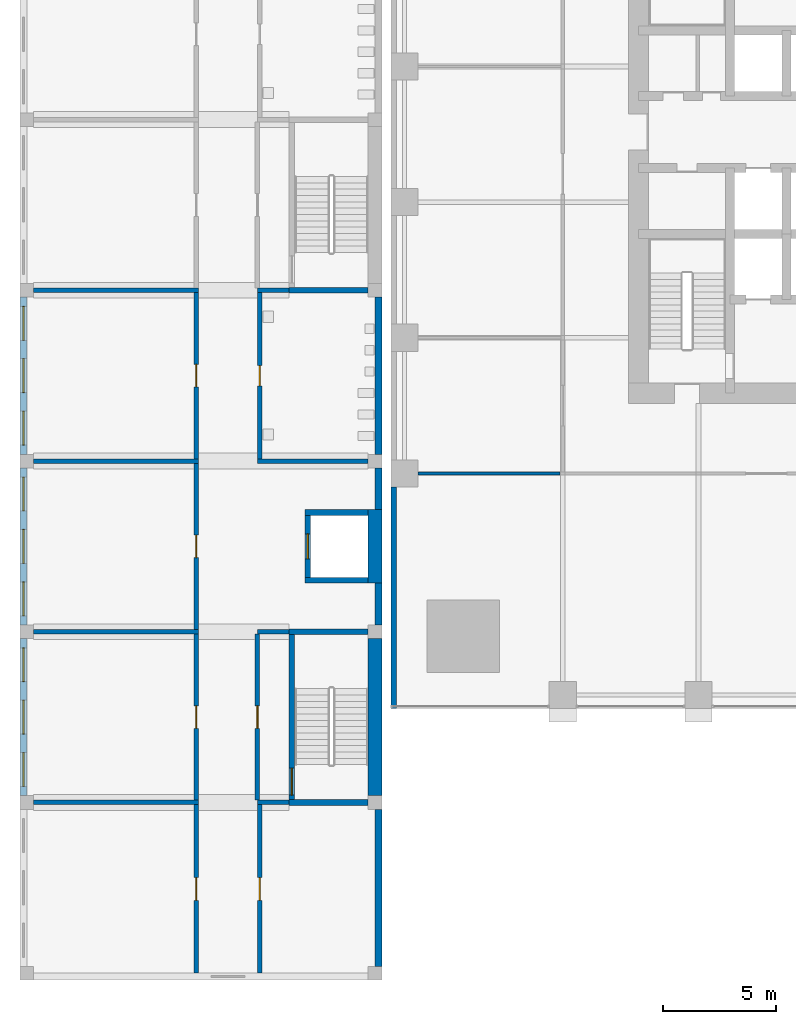
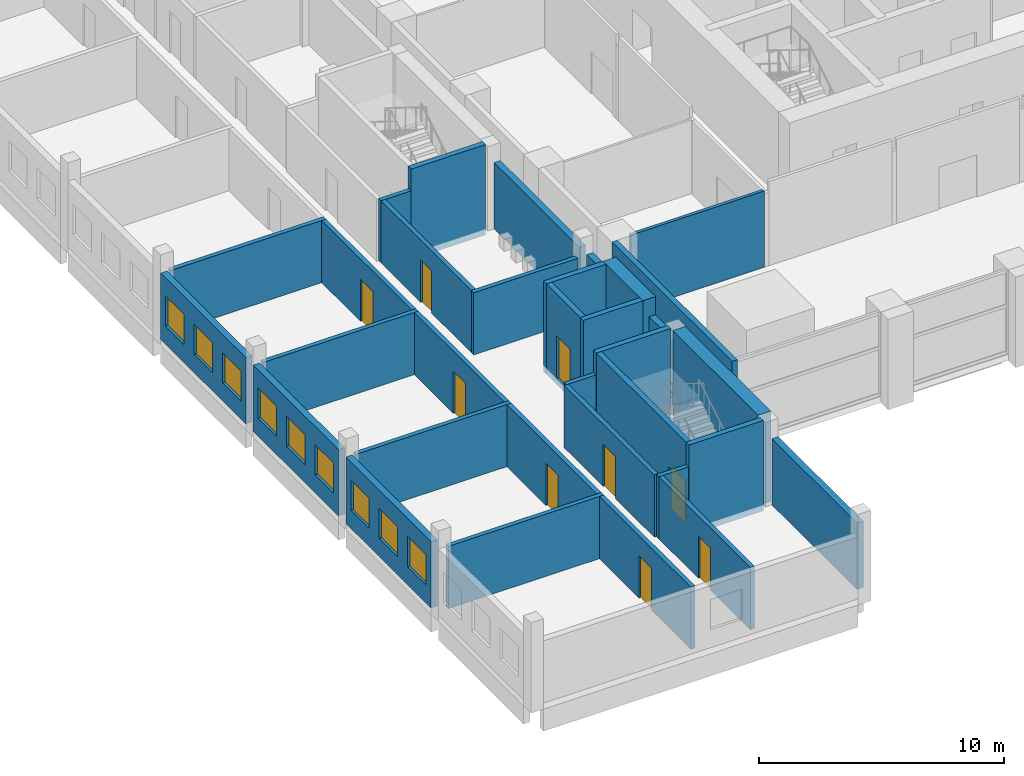
# One storey, part 10 of 25: 33 walls, 9 doors, 9 windows, 18 openings.
"""IFC4 building model written with IfcOpenShell, lengths in metres."""

from ifc_helpers import new_model, si_unit, direction, frame, frame_2d, origin, place, context, subcontext, project, spatial, rectangle, extrude, material, layer, layer_set, type_object, element, fill, save


model = new_model("IFC4")

# Units and contexts
model_context = context("Model", 3, precision=1e-05, world=origin(), true_north=direction((0.0, 1.0)))
body_context = subcontext(model_context, "Body", "Model", "MODEL_VIEW")
ifc_project = project(units=[si_unit("LENGTHUNIT", "METRE"), si_unit("AREAUNIT", "SQUARE_METRE"), si_unit("VOLUMEUNIT", "CUBIC_METRE"), si_unit("PLANEANGLEUNIT", "RADIAN"), si_unit("MASSUNIT", "GRAM", prefix="KILO")], contexts=[model_context])

# Site, building, storey
site_placement = place(None, origin())
site = spatial("IfcSite", under=ifc_project, at=site_placement, CompositionType="ELEMENT")
building_placement = place(site_placement, origin())
building = spatial("IfcBuilding", under=site, at=building_placement, Name="Amberfall Residences", CompositionType="ELEMENT")
storey_placement = place(building_placement, frame((0.0, 0.0, 14.5)))
storey = spatial("IfcBuildingStorey", under=building, at=storey_placement, Name="L03", CompositionType="ELEMENT", Elevation=14.5)

# Walls
ifc_material_1 = material(Name="Fire-rated gypsum board on steel studs", Category="steel")
ifc_layer_1 = layer(ifc_material_1, 0.14990234375)
ifc_layer_set_1 = layer_set([ifc_layer_1], Name="Partition 150 fire-rated")
wall_type_1 = type_object("IfcWallType", Name="Partition 150 fire-rated", PredefinedType="PARTITIONING", material=ifc_layer_set_1)
wall_1_placement = place(storey_placement, frame((53.199951171875, 30.39990234375, 0.0), z_axis=(0.0, 0.0, 1.0), x_axis=(1.0, 0.0, 0.0)))
element("IfcWall", 1, at=wall_1_placement, inside=storey, type_object=wall_type_1, Name="Partition 150 fire-rated L03 001", PredefinedType="PARTITIONING", context=body_context, shape_type="SweptSolid", body=[
    extrude(rectangle(XDim=6.280029296875, YDim=0.14990234375, at=frame_2d((3.14013671875, 0.0))), origin(), (0.0, 0.0, 1.0), 3.797119140625),
])
ifc_material_2 = material(Name="Precast concrete C40", Category="concrete")
ifc_layer_2 = layer(ifc_material_2, 0.25)
ifc_layer_set_2 = layer_set([ifc_layer_2], Name="Podium external wall 250")
wall_type_2 = type_object("IfcWallType", Name="Podium external wall 250", PredefinedType="SOLIDWALL", material=ifc_layer_set_2)
wall_2_placement = place(storey_placement, frame((52.125, 20.0, 0.0), z_axis=(0.0, 0.0, 1.0), x_axis=(0.0, 1.0, 0.0)))
element("IfcWall", 2, at=wall_2_placement, inside=storey, type_object=wall_type_2, Name="Podium external wall W1", PredefinedType="SOLIDWALL", context=body_context, shape_type="SweptSolid", body=[
    extrude(rectangle(XDim=9.800048828125, YDim=0.25, at=frame_2d((4.89990234375, 0.0))), origin(), (0.0, 0.0, 1.0), 4.199951171875),
])

# Wall, openings, windows
ifc_material_3 = material(Name="Aerated block wall")
ifc_layer_3 = layer(ifc_material_3, 0.300048828125)
ifc_layer_set_3 = layer_set([ifc_layer_3], Name="School external wall 300")
wall_type_3 = type_object("IfcWallType", Name="School external wall 300", PredefinedType="SOLIDWALL", material=ifc_layer_set_3)
wall_3_placement = place(storey_placement, frame((35.75, 16.14990234375, 0.0), z_axis=(0.0, 0.0, 1.0), x_axis=(0.0, 1.0, 0.0)))
wall_3 = element("IfcWall", 3, at=wall_3_placement, inside=storey, type_object=wall_type_3, Name="School external wall L03 EW1", PredefinedType="SOLIDWALL", context=body_context, shape_type="SweptSolid", body=[
    extrude(rectangle(XDim=6.9501953125, YDim=0.300048828125, at=frame_2d((3.47509765625, 0.0))), origin(), (0.0, 0.0, 1.0), 3.300048828125),
])
opening_1_placement = place(wall_3_placement, frame((0.408203125, 0.0, 0.89990234375)))
opening_1 = element("IfcOpeningElement", 4, at=opening_1_placement, cuts=wall_3, Name="Opening SWN1", PredefinedType="OPENING", context=body_context, shape_type="SweptSolid", body=[
    extrude(rectangle(XDim=1.5, YDim=1.5, at=frame_2d((0.75, 0.75))), frame((0.0, 0.159912109375, 0.0), z_axis=(0.0, -1.0, 0.0), x_axis=(1.0, 0.0, 0.0)), (0.0, 0.0, 1.0), 0.320068359375),
])
opening_2_placement = place(wall_3_placement, frame((2.72509765625, 0.0, 0.89990234375)))
opening_2 = element("IfcOpeningElement", 5, at=opening_2_placement, cuts=wall_3, Name="Opening SWN1", PredefinedType="OPENING", context=body_context, shape_type="SweptSolid", body=[
    extrude(rectangle(XDim=1.5, YDim=1.5, at=frame_2d((0.75, 0.75))), frame((0.0, 0.159912109375, 0.0), z_axis=(0.0, -1.0, 0.0), x_axis=(1.0, 0.0, 0.0)), (0.0, 0.0, 1.0), 0.320068359375),
])
opening_3_placement = place(wall_3_placement, frame((5.041748046875, 0.0, 0.89990234375)))
opening_3 = element("IfcOpeningElement", 6, at=opening_3_placement, cuts=wall_3, Name="Opening SWN1", PredefinedType="OPENING", context=body_context, shape_type="SweptSolid", body=[
    extrude(rectangle(XDim=1.5, YDim=1.5, at=frame_2d((0.75, 0.75))), frame((0.0, 0.159912109375, 0.0), z_axis=(0.0, -1.0, 0.0), x_axis=(1.0, 0.0, 0.0)), (0.0, 0.0, 1.0), 0.320068359375),
])
ifc_material_4 = material(Name="Aluminium window", Category="aluminium")
window_type = type_object("IfcWindowType", Name="School window 1500 x 1500", PartitioningType="DOUBLE_PANEL_HORIZONTAL", PredefinedType="WINDOW", material=ifc_material_4)
window_1_placement = place(opening_1_placement, origin())
window_1 = element("IfcWindow", 7, at=window_1_placement, inside=storey, type_object=window_type, Name="School window L03 EW1-1", OverallHeight=1.5, OverallWidth=1.5, PartitioningType="DOUBLE_PANEL_HORIZONTAL", PredefinedType="WINDOW", context=body_context, shape_type="SweptSolid", body=[
    extrude(rectangle(XDim=1.5, YDim=1.5, at=frame_2d((0.75, 0.75))), frame((0.0, 0.030029296875, 0.0), z_axis=(0.0, -1.0, 0.0), x_axis=(1.0, 0.0, 0.0)), (0.0, 0.0, 1.0), 0.06005859375),
])
fill(opening_1, window_1)
window_2_placement = place(opening_2_placement, origin())
window_2 = element("IfcWindow", 8, at=window_2_placement, inside=storey, type_object=window_type, Name="School window L03 EW1-2", OverallHeight=1.5, OverallWidth=1.5, PartitioningType="DOUBLE_PANEL_HORIZONTAL", PredefinedType="WINDOW", context=body_context, shape_type="SweptSolid", body=[
    extrude(rectangle(XDim=1.5, YDim=1.5, at=frame_2d((0.75, 0.75))), frame((0.0, 0.030029296875, 0.0), z_axis=(0.0, -1.0, 0.0), x_axis=(1.0, 0.0, 0.0)), (0.0, 0.0, 1.0), 0.06005859375),
])
fill(opening_2, window_2)
window_3_placement = place(opening_3_placement, origin())
window_3 = element("IfcWindow", 9, at=window_3_placement, inside=storey, type_object=window_type, Name="School window L03 EW1-3", OverallHeight=1.5, OverallWidth=1.5, PartitioningType="DOUBLE_PANEL_HORIZONTAL", PredefinedType="WINDOW", context=body_context, shape_type="SweptSolid", body=[
    extrude(rectangle(XDim=1.5, YDim=1.5, at=frame_2d((0.75, 0.75))), frame((0.0, 0.030029296875, 0.0), z_axis=(0.0, -1.0, 0.0), x_axis=(1.0, 0.0, 0.0)), (0.0, 0.0, 1.0), 0.06005859375),
])
fill(opening_3, window_3)

wall_4_placement = place(storey_placement, frame((35.75, 23.699951171875, 0.0), z_axis=(0.0, 0.0, 1.0), x_axis=(0.0, 1.0, 0.0)))
wall_4 = element("IfcWall", 10, at=wall_4_placement, inside=storey, type_object=wall_type_3, Name="School external wall L03 EW2", PredefinedType="SOLIDWALL", context=body_context, shape_type="SweptSolid", body=[
    extrude(rectangle(XDim=6.949951171875, YDim=0.300048828125, at=frame_2d((3.47509765625, 0.0))), origin(), (0.0, 0.0, 1.0), 3.300048828125),
])
opening_4_placement = place(wall_4_placement, frame((0.408203125, 0.0, 0.89990234375)))
opening_4 = element("IfcOpeningElement", 11, at=opening_4_placement, cuts=wall_4, Name="Opening SWN1", PredefinedType="OPENING", context=body_context, shape_type="SweptSolid", body=[
    extrude(rectangle(XDim=1.5, YDim=1.5, at=frame_2d((0.75, 0.75))), frame((0.0, 0.159912109375, 0.0), z_axis=(0.0, -1.0, 0.0), x_axis=(1.0, 0.0, 0.0)), (0.0, 0.0, 1.0), 0.320068359375),
])
opening_5_placement = place(wall_4_placement, frame((2.72509765625, 0.0, 0.89990234375)))
opening_5 = element("IfcOpeningElement", 12, at=opening_5_placement, cuts=wall_4, Name="Opening SWN1", PredefinedType="OPENING", context=body_context, shape_type="SweptSolid", body=[
    extrude(rectangle(XDim=1.5, YDim=1.5, at=frame_2d((0.75, 0.75))), frame((0.0, 0.159912109375, 0.0), z_axis=(0.0, -1.0, 0.0), x_axis=(1.0, 0.0, 0.0)), (0.0, 0.0, 1.0), 0.320068359375),
])
opening_6_placement = place(wall_4_placement, frame((5.041748046875, 0.0, 0.89990234375)))
opening_6 = element("IfcOpeningElement", 13, at=opening_6_placement, cuts=wall_4, Name="Opening SWN1", PredefinedType="OPENING", context=body_context, shape_type="SweptSolid", body=[
    extrude(rectangle(XDim=1.5, YDim=1.5, at=frame_2d((0.75, 0.75))), frame((0.0, 0.159912109375, 0.0), z_axis=(0.0, -1.0, 0.0), x_axis=(1.0, 0.0, 0.0)), (0.0, 0.0, 1.0), 0.320068359375),
])
window_4_placement = place(opening_4_placement, origin())
window_4 = element("IfcWindow", 14, at=window_4_placement, inside=storey, type_object=window_type, Name="School window L03 EW2-1", OverallHeight=1.5, OverallWidth=1.5, PartitioningType="DOUBLE_PANEL_HORIZONTAL", PredefinedType="WINDOW", context=body_context, shape_type="SweptSolid", body=[
    extrude(rectangle(XDim=1.5, YDim=1.5, at=frame_2d((0.75, 0.75))), frame((0.0, 0.030029296875, 0.0), z_axis=(0.0, -1.0, 0.0), x_axis=(1.0, 0.0, 0.0)), (0.0, 0.0, 1.0), 0.06005859375),
])
fill(opening_4, window_4)
window_5_placement = place(opening_5_placement, origin())
window_5 = element("IfcWindow", 15, at=window_5_placement, inside=storey, type_object=window_type, Name="School window L03 EW2-2", OverallHeight=1.5, OverallWidth=1.5, PartitioningType="DOUBLE_PANEL_HORIZONTAL", PredefinedType="WINDOW", context=body_context, shape_type="SweptSolid", body=[
    extrude(rectangle(XDim=1.5, YDim=1.5, at=frame_2d((0.75, 0.75))), frame((0.0, 0.030029296875, 0.0), z_axis=(0.0, -1.0, 0.0), x_axis=(1.0, 0.0, 0.0)), (0.0, 0.0, 1.0), 0.06005859375),
])
fill(opening_5, window_5)
window_6_placement = place(opening_6_placement, origin())
window_6 = element("IfcWindow", 16, at=window_6_placement, inside=storey, type_object=window_type, Name="School window L03 EW2-3", OverallHeight=1.5, OverallWidth=1.5, PartitioningType="DOUBLE_PANEL_HORIZONTAL", PredefinedType="WINDOW", context=body_context, shape_type="SweptSolid", body=[
    extrude(rectangle(XDim=1.5, YDim=1.5, at=frame_2d((0.75, 0.75))), frame((0.0, 0.030029296875, 0.0), z_axis=(0.0, -1.0, 0.0), x_axis=(1.0, 0.0, 0.0)), (0.0, 0.0, 1.0), 0.06005859375),
])
fill(opening_6, window_6)

wall_5_placement = place(storey_placement, frame((35.75, 31.25, 0.0), z_axis=(0.0, 0.0, 1.0), x_axis=(0.0, 1.0, 0.0)))
wall_5 = element("IfcWall", 17, at=wall_5_placement, inside=storey, type_object=wall_type_3, Name="School external wall L03 EW3", PredefinedType="SOLIDWALL", context=body_context, shape_type="SweptSolid", body=[
    extrude(rectangle(XDim=6.949951171875, YDim=0.300048828125, at=frame_2d((3.47509765625, 0.0))), origin(), (0.0, 0.0, 1.0), 3.300048828125),
])
opening_7_placement = place(wall_5_placement, frame((0.408203125, 0.0, 0.89990234375)))
opening_7 = element("IfcOpeningElement", 18, at=opening_7_placement, cuts=wall_5, Name="Opening SWN1", PredefinedType="OPENING", context=body_context, shape_type="SweptSolid", body=[
    extrude(rectangle(XDim=1.5, YDim=1.5, at=frame_2d((0.75, 0.75))), frame((0.0, 0.159912109375, 0.0), z_axis=(0.0, -1.0, 0.0), x_axis=(1.0, 0.0, 0.0)), (0.0, 0.0, 1.0), 0.320068359375),
])
opening_8_placement = place(wall_5_placement, frame((2.72509765625, 0.0, 0.89990234375)))
opening_8 = element("IfcOpeningElement", 19, at=opening_8_placement, cuts=wall_5, Name="Opening SWN1", PredefinedType="OPENING", context=body_context, shape_type="SweptSolid", body=[
    extrude(rectangle(XDim=1.5, YDim=1.5, at=frame_2d((0.75, 0.75))), frame((0.0, 0.159912109375, 0.0), z_axis=(0.0, -1.0, 0.0), x_axis=(1.0, 0.0, 0.0)), (0.0, 0.0, 1.0), 0.320068359375),
])
opening_9_placement = place(wall_5_placement, frame((5.041748046875, 0.0, 0.89990234375)))
opening_9 = element("IfcOpeningElement", 20, at=opening_9_placement, cuts=wall_5, Name="Opening SWN1", PredefinedType="OPENING", context=body_context, shape_type="SweptSolid", body=[
    extrude(rectangle(XDim=1.5, YDim=1.5, at=frame_2d((0.75, 0.75))), frame((0.0, 0.159912109375, 0.0), z_axis=(0.0, -1.0, 0.0), x_axis=(1.0, 0.0, 0.0)), (0.0, 0.0, 1.0), 0.320068359375),
])
window_7_placement = place(opening_7_placement, origin())
window_7 = element("IfcWindow", 21, at=window_7_placement, inside=storey, type_object=window_type, Name="School window L03 EW3-1", OverallHeight=1.5, OverallWidth=1.5, PartitioningType="DOUBLE_PANEL_HORIZONTAL", PredefinedType="WINDOW", context=body_context, shape_type="SweptSolid", body=[
    extrude(rectangle(XDim=1.5, YDim=1.5, at=frame_2d((0.75, 0.75))), frame((0.0, 0.030029296875, 0.0), z_axis=(0.0, -1.0, 0.0), x_axis=(1.0, 0.0, 0.0)), (0.0, 0.0, 1.0), 0.06005859375),
])
fill(opening_7, window_7)
window_8_placement = place(opening_8_placement, origin())
window_8 = element("IfcWindow", 22, at=window_8_placement, inside=storey, type_object=window_type, Name="School window L03 EW3-2", OverallHeight=1.5, OverallWidth=1.5, PartitioningType="DOUBLE_PANEL_HORIZONTAL", PredefinedType="WINDOW", context=body_context, shape_type="SweptSolid", body=[
    extrude(rectangle(XDim=1.5, YDim=1.5, at=frame_2d((0.75, 0.75))), frame((0.0, 0.030029296875, 0.0), z_axis=(0.0, -1.0, 0.0), x_axis=(1.0, 0.0, 0.0)), (0.0, 0.0, 1.0), 0.06005859375),
])
fill(opening_8, window_8)
window_9_placement = place(opening_9_placement, origin())
window_9 = element("IfcWindow", 23, at=window_9_placement, inside=storey, type_object=window_type, Name="School window L03 EW3-3", OverallHeight=1.5, OverallWidth=1.5, PartitioningType="DOUBLE_PANEL_HORIZONTAL", PredefinedType="WINDOW", context=body_context, shape_type="SweptSolid", body=[
    extrude(rectangle(XDim=1.5, YDim=1.5, at=frame_2d((0.75, 0.75))), frame((0.0, 0.030029296875, 0.0), z_axis=(0.0, -1.0, 0.0), x_axis=(1.0, 0.0, 0.0)), (0.0, 0.0, 1.0), 0.06005859375),
])
fill(opening_9, window_9)

# Walls
for number, where, z_axis, x_axis, name in (
    (24, (51.449951171875, 8.60009765625, 0.0), (0.0, 0.0, 1.0), (0.0, 1.0, 0.0), "School external wall L03 ET0"),
    (25, (51.449951171875, 31.25, 0.0), (0.0, 0.0, 1.0), (0.0, 1.0, 0.0), "School external wall L03 ET3"),
):
    element("IfcWall", number, at=place(storey_placement, frame(where, z_axis=z_axis, x_axis=x_axis)), inside=storey, type_object=wall_type_3, Name=name, PredefinedType="SOLIDWALL", context=body_context, shape_type="SweptSolid", body=[
        extrude(rectangle(XDim=6.949951171875, YDim=0.300048828125, at=frame_2d((3.47509765625, 0.0))), origin(), (0.0, 0.0, 1.0), 3.300048828125),
    ])
wall_6_placement = place(storey_placement, frame((51.449951171875, 23.699951171875, 0.0), z_axis=(0.0, 0.0, 1.0), x_axis=(0.0, 1.0, 0.0)))
element("IfcWall", 26, at=wall_6_placement, inside=storey, type_object=wall_type_3, Name="School external wall L03 ET2a", PredefinedType="SOLIDWALL", context=body_context, shape_type="SweptSolid", body=[
    extrude(rectangle(XDim=1.85009765625, YDim=0.300048828125, at=frame_2d((0.925048828125, 0.0))), origin(), (0.0, 0.0, 1.0), 3.300048828125),
])
wall_7_placement = place(storey_placement, frame((51.449951171875, 28.800048828125, 0.0), z_axis=(0.0, 0.0, 1.0), x_axis=(0.0, 1.0, 0.0)))
element("IfcWall", 27, at=wall_7_placement, inside=storey, type_object=wall_type_3, Name="School external wall L03 ET2b", PredefinedType="SOLIDWALL", context=body_context, shape_type="SweptSolid", body=[
    extrude(rectangle(XDim=1.849853515625, YDim=0.300048828125, at=frame_2d((0.9248046875, 0.0))), origin(), (0.0, 0.0, 1.0), 3.300048828125),
])

# Wall, opening, door
ifc_layer_4 = layer(ifc_material_3, 0.199951171875)
ifc_layer_set_4 = layer_set([ifc_layer_4], Name="School partition 200")
wall_type_4 = type_object("IfcWallType", Name="School partition 200", PredefinedType="PARTITIONING", material=ifc_layer_set_4)
wall_8_placement = place(storey_placement, frame((43.39990234375, 8.300048828125, 0.0), z_axis=(0.0, 0.0, 1.0), x_axis=(0.0, 1.0, 0.0)))
wall_8 = element("IfcWall", 28, at=wall_8_placement, inside=storey, type_object=wall_type_4, Name="School partition L03 CWW0", PredefinedType="PARTITIONING", context=body_context, shape_type="SweptSolid", body=[
    extrude(rectangle(XDim=7.449951171875, YDim=0.199951171875, at=frame_2d((3.72509765625, 0.0))), origin(), (0.0, 0.0, 1.0), 3.10009765625),
])
opening_10_placement = place(wall_8_placement, frame((3.22509765625, 0.0, 0.0)))
opening_10 = element("IfcOpeningElement", 29, at=opening_10_placement, cuts=wall_8, Name="Opening SD5", PredefinedType="OPENING", context=body_context, shape_type="SweptSolid", body=[
    extrude(rectangle(XDim=1.0, YDim=2.10009765625, at=frame_2d((0.5, 1.050048828125))), frame((0.0, 0.10986328125, 0.0), z_axis=(0.0, -1.0, 0.0), x_axis=(1.0, 0.0, 0.0)), (0.0, 0.0, 1.0), 0.219970703125),
])
ifc_material_5 = material(Name="Timber door", Category="wood")
door_type_1 = type_object("IfcDoorType", Name="School classroom door 1000 x 2100", OperationType="SINGLE_SWING_LEFT", PredefinedType="DOOR", material=ifc_material_5)
door_1_placement = place(opening_10_placement, origin())
door_1 = element("IfcDoor", 30, at=door_1_placement, inside=storey, type_object=door_type_1, Name="School door L03 CWW0-1", OperationType="SINGLE_SWING_LEFT", OverallHeight=2.10009765625, OverallWidth=1.0, PredefinedType="DOOR", context=body_context, shape_type="SweptSolid", body=[
    extrude(rectangle(XDim=1.0, YDim=2.10009765625, at=frame_2d((0.5, 1.050048828125))), frame((0.0, 0.02490234375, 0.0), z_axis=(0.0, -1.0, 0.0), x_axis=(1.0, 0.0, 0.0)), (0.0, 0.0, 1.0), 0.050048828125),
])
fill(opening_10, door_1)

wall_9_placement = place(storey_placement, frame((43.39990234375, 15.949951171875, 0.0), z_axis=(0.0, 0.0, 1.0), x_axis=(0.0, 1.0, 0.0)))
wall_9 = element("IfcWall", 31, at=wall_9_placement, inside=storey, type_object=wall_type_4, Name="School partition L03 CWW1", PredefinedType="PARTITIONING", context=body_context, shape_type="SweptSolid", body=[
    extrude(rectangle(XDim=7.35009765625, YDim=0.199951171875, at=frame_2d((3.675048828125, 0.0))), origin(), (0.0, 0.0, 1.0), 3.10009765625),
])
opening_11_placement = place(wall_9_placement, frame((3.175048828125, 0.0, 0.0)))
opening_11 = element("IfcOpeningElement", 32, at=opening_11_placement, cuts=wall_9, Name="Opening SD5", PredefinedType="OPENING", context=body_context, shape_type="SweptSolid", body=[
    extrude(rectangle(XDim=1.0, YDim=2.10009765625, at=frame_2d((0.5, 1.050048828125))), frame((0.0, 0.10986328125, 0.0), z_axis=(0.0, -1.0, 0.0), x_axis=(1.0, 0.0, 0.0)), (0.0, 0.0, 1.0), 0.219970703125),
])
door_2_placement = place(opening_11_placement, origin())
door_2 = element("IfcDoor", 33, at=door_2_placement, inside=storey, type_object=door_type_1, Name="School door L03 CWW1-1", OperationType="SINGLE_SWING_LEFT", OverallHeight=2.10009765625, OverallWidth=1.0, PredefinedType="DOOR", context=body_context, shape_type="SweptSolid", body=[
    extrude(rectangle(XDim=1.0, YDim=2.10009765625, at=frame_2d((0.5, 1.050048828125))), frame((0.0, 0.02490234375, 0.0), z_axis=(0.0, -1.0, 0.0), x_axis=(1.0, 0.0, 0.0)), (0.0, 0.0, 1.0), 0.050048828125),
])
fill(opening_11, door_2)

wall_10_placement = place(storey_placement, frame((43.39990234375, 23.5, 0.0), z_axis=(0.0, 0.0, 1.0), x_axis=(0.0, 1.0, 0.0)))
wall_10 = element("IfcWall", 34, at=wall_10_placement, inside=storey, type_object=wall_type_4, Name="School partition L03 CWW2", PredefinedType="PARTITIONING", context=body_context, shape_type="SweptSolid", body=[
    extrude(rectangle(XDim=7.35009765625, YDim=0.199951171875, at=frame_2d((3.675048828125, 0.0))), origin(), (0.0, 0.0, 1.0), 3.10009765625),
])
opening_12_placement = place(wall_10_placement, frame((3.175048828125, 0.0, 0.0)))
opening_12 = element("IfcOpeningElement", 35, at=opening_12_placement, cuts=wall_10, Name="Opening SD5", PredefinedType="OPENING", context=body_context, shape_type="SweptSolid", body=[
    extrude(rectangle(XDim=1.0, YDim=2.10009765625, at=frame_2d((0.5, 1.050048828125))), frame((0.0, 0.10986328125, 0.0), z_axis=(0.0, -1.0, 0.0), x_axis=(1.0, 0.0, 0.0)), (0.0, 0.0, 1.0), 0.219970703125),
])
door_3_placement = place(opening_12_placement, origin())
door_3 = element("IfcDoor", 36, at=door_3_placement, inside=storey, type_object=door_type_1, Name="School door L03 CWW2-1", OperationType="SINGLE_SWING_LEFT", OverallHeight=2.10009765625, OverallWidth=1.0, PredefinedType="DOOR", context=body_context, shape_type="SweptSolid", body=[
    extrude(rectangle(XDim=1.0, YDim=2.10009765625, at=frame_2d((0.5, 1.050048828125))), frame((0.0, 0.02490234375, 0.0), z_axis=(0.0, -1.0, 0.0), x_axis=(1.0, 0.0, 0.0)), (0.0, 0.0, 1.0), 0.050048828125),
])
fill(opening_12, door_3)

wall_11_placement = place(storey_placement, frame((43.39990234375, 31.050048828125, 0.0), z_axis=(0.0, 0.0, 1.0), x_axis=(0.0, 1.0, 0.0)))
wall_11 = element("IfcWall", 37, at=wall_11_placement, inside=storey, type_object=wall_type_4, Name="School partition L03 CWW3", PredefinedType="PARTITIONING", context=body_context, shape_type="SweptSolid", body=[
    extrude(rectangle(XDim=7.349853515625, YDim=0.199951171875, at=frame_2d((3.6748046875, 0.0))), origin(), (0.0, 0.0, 1.0), 3.10009765625),
])
opening_13_placement = place(wall_11_placement, frame((3.175048828125, 0.0, 0.0)))
opening_13 = element("IfcOpeningElement", 38, at=opening_13_placement, cuts=wall_11, Name="Opening SD5", PredefinedType="OPENING", context=body_context, shape_type="SweptSolid", body=[
    extrude(rectangle(XDim=1.0, YDim=2.10009765625, at=frame_2d((0.5, 1.050048828125))), frame((0.0, 0.10986328125, 0.0), z_axis=(0.0, -1.0, 0.0), x_axis=(1.0, 0.0, 0.0)), (0.0, 0.0, 1.0), 0.219970703125),
])
door_4_placement = place(opening_13_placement, origin())
door_4 = element("IfcDoor", 39, at=door_4_placement, inside=storey, type_object=door_type_1, Name="School door L03 CWW3-1", OperationType="SINGLE_SWING_LEFT", OverallHeight=2.10009765625, OverallWidth=1.0, PredefinedType="DOOR", context=body_context, shape_type="SweptSolid", body=[
    extrude(rectangle(XDim=1.0, YDim=2.10009765625, at=frame_2d((0.5, 1.050048828125))), frame((0.0, 0.02490234375, 0.0), z_axis=(0.0, -1.0, 0.0), x_axis=(1.0, 0.0, 0.0)), (0.0, 0.0, 1.0), 0.050048828125),
])
fill(opening_13, door_4)

# Walls
for number, where, z_axis, x_axis, name in (
    (40, (36.199951171875, 15.85009765625, 0.0), (0.0, 0.0, 1.0), (1.0, 0.0, 0.0), "School partition L03 PW1585"),
    (41, (36.199951171875, 23.39990234375, 0.0), (0.0, 0.0, 1.0), (1.0, 0.0, 0.0), "School partition L03 PW2340"),
    (42, (36.199951171875, 30.949951171875, 0.0), (0.0, 0.0, 1.0), (1.0, 0.0, 0.0), "School partition L03 PW3095"),
    (43, (36.199951171875, 38.5, 0.0), (0.0, 0.0, 1.0), (1.0, 0.0, 0.0), "School partition L03 PW3850"),
):
    element("IfcWall", number, at=place(storey_placement, frame(where, z_axis=z_axis, x_axis=x_axis)), inside=storey, type_object=wall_type_4, Name=name, PredefinedType="PARTITIONING", context=body_context, shape_type="SweptSolid", body=[
        extrude(rectangle(XDim=7.300048828125, YDim=0.199951171875, at=frame_2d((3.64990234375, 0.0))), origin(), (0.0, 0.0, 1.0), 3.10009765625),
    ])

# Wall, opening, door
wall_12_placement = place(storey_placement, frame((46.199951171875, 8.300048828125, 0.0), z_axis=(0.0, 0.0, 1.0), x_axis=(0.0, 1.0, 0.0)))
wall_12 = element("IfcWall", 44, at=wall_12_placement, inside=storey, type_object=wall_type_4, Name="School partition L03 CWE08", PredefinedType="PARTITIONING", context=body_context, shape_type="SweptSolid", body=[
    extrude(rectangle(XDim=7.449951171875, YDim=0.199951171875, at=frame_2d((3.72509765625, 0.0))), origin(), (0.0, 0.0, 1.0), 3.10009765625),
])
opening_14_placement = place(wall_12_placement, frame((3.22509765625, 0.0, 0.0)))
opening_14 = element("IfcOpeningElement", 45, at=opening_14_placement, cuts=wall_12, Name="Opening SD5", PredefinedType="OPENING", context=body_context, shape_type="SweptSolid", body=[
    extrude(rectangle(XDim=1.0, YDim=2.10009765625, at=frame_2d((0.5, 1.050048828125))), frame((0.0, 0.10986328125, 0.0), z_axis=(0.0, -1.0, 0.0), x_axis=(1.0, 0.0, 0.0)), (0.0, 0.0, 1.0), 0.219970703125),
])
door_5_placement = place(opening_14_placement, origin())
door_5 = element("IfcDoor", 46, at=door_5_placement, inside=storey, type_object=door_type_1, Name="School door L03 CWE08-1", OperationType="SINGLE_SWING_LEFT", OverallHeight=2.10009765625, OverallWidth=1.0, PredefinedType="DOOR", context=body_context, shape_type="SweptSolid", body=[
    extrude(rectangle(XDim=1.0, YDim=2.10009765625, at=frame_2d((0.5, 1.050048828125))), frame((0.0, 0.02490234375, 0.0), z_axis=(0.0, -1.0, 0.0), x_axis=(1.0, 0.0, 0.0)), (0.0, 0.0, 1.0), 0.050048828125),
])
fill(opening_14, door_5)

wall_13_placement = place(storey_placement, frame((46.199951171875, 31.050048828125, 0.0), z_axis=(0.0, 0.0, 1.0), x_axis=(0.0, 1.0, 0.0)))
wall_13 = element("IfcWall", 47, at=wall_13_placement, inside=storey, type_object=wall_type_4, Name="School partition L03 CWE331", PredefinedType="PARTITIONING", context=body_context, shape_type="SweptSolid", body=[
    extrude(rectangle(XDim=7.349853515625, YDim=0.199951171875, at=frame_2d((3.6748046875, 0.0))), origin(), (0.0, 0.0, 1.0), 3.10009765625),
])
opening_15_placement = place(wall_13_placement, frame((3.22509765625, 0.0, 0.0)))
opening_15 = element("IfcOpeningElement", 48, at=opening_15_placement, cuts=wall_13, Name="Opening SD2", PredefinedType="OPENING", context=body_context, shape_type="SweptSolid", body=[
    extrude(rectangle(XDim=0.89990234375, YDim=2.10009765625, at=frame_2d((0.449951171875, 1.050048828125))), frame((0.0, 0.10986328125, 0.0), z_axis=(0.0, -1.0, 0.0), x_axis=(1.0, 0.0, 0.0)), (0.0, 0.0, 1.0), 0.219970703125),
])
door_type_2 = type_object("IfcDoorType", Name="School WC door 900 x 2100", OperationType="SINGLE_SWING_LEFT", PredefinedType="DOOR", material=ifc_material_5)
door_6_placement = place(opening_15_placement, origin())
door_6 = element("IfcDoor", 49, at=door_6_placement, inside=storey, type_object=door_type_2, Name="School door L03 CWE331-1", OperationType="SINGLE_SWING_LEFT", OverallHeight=2.10009765625, OverallWidth=0.89990234375, PredefinedType="DOOR", context=body_context, shape_type="SweptSolid", body=[
    extrude(rectangle(XDim=0.89990234375, YDim=2.10009765625, at=frame_2d((0.449951171875, 1.050048828125))), frame((0.0, 0.02490234375, 0.0), z_axis=(0.0, -1.0, 0.0), x_axis=(1.0, 0.0, 0.0)), (0.0, 0.0, 1.0), 0.050048828125),
])
fill(opening_15, door_6)

# Walls
for number, where, z_axis, x_axis, name in (
    (50, (46.10009765625, 15.85009765625, 0.0), (0.0, 0.0, 1.0), (1.0, 0.0, 0.0), "School partition L03 PEA1"),
    (51, (46.10009765625, 23.39990234375, 0.0), (0.0, 0.0, 1.0), (1.0, 0.0, 0.0), "School partition L03 PEA2"),
):
    element("IfcWall", number, at=place(storey_placement, frame(where, z_axis=z_axis, x_axis=x_axis)), inside=storey, type_object=wall_type_4, Name=name, PredefinedType="PARTITIONING", context=body_context, shape_type="SweptSolid", body=[
        extrude(rectangle(XDim=1.39990234375, YDim=0.199951171875, at=frame_2d((0.699951171875, 0.0))), origin(), (0.0, 0.0, 1.0), 3.10009765625),
    ])
wall_14_placement = place(storey_placement, frame((46.10009765625, 30.949951171875, 0.0), z_axis=(0.0, 0.0, 1.0), x_axis=(1.0, 0.0, 0.0)))
element("IfcWall", 52, at=wall_14_placement, inside=storey, type_object=wall_type_4, Name="School partition L03 PE3", PredefinedType="PARTITIONING", context=body_context, shape_type="SweptSolid", body=[
    extrude(rectangle(XDim=4.89990234375, YDim=0.199951171875, at=frame_2d((2.449951171875, 0.0))), origin(), (0.0, 0.0, 1.0), 3.10009765625),
])
wall_15_placement = place(storey_placement, frame((46.10009765625, 38.5, 0.0), z_axis=(0.0, 0.0, 1.0), x_axis=(1.0, 0.0, 0.0)))
element("IfcWall", 53, at=wall_15_placement, inside=storey, type_object=wall_type_4, Name="School partition L03 PEA4", PredefinedType="PARTITIONING", context=body_context, shape_type="SweptSolid", body=[
    extrude(rectangle(XDim=1.39990234375, YDim=0.199951171875, at=frame_2d((0.699951171875, 0.0))), origin(), (0.0, 0.0, 1.0), 3.10009765625),
])

# Wall, opening, door
wall_16_placement = place(storey_placement, frame((46.10009765625, 15.949951171875, 0.0), z_axis=(0.0, 0.0, 1.0), x_axis=(0.0, 1.0, 0.0)))
wall_16 = element("IfcWall", 54, at=wall_16_placement, inside=storey, type_object=wall_type_4, Name="School partition L03 CWLSS1", PredefinedType="PARTITIONING", context=body_context, shape_type="SweptSolid", body=[
    extrude(rectangle(XDim=7.35009765625, YDim=0.199951171875, at=frame_2d((3.675048828125, 0.0))), origin(), (0.0, 0.0, 1.0), 3.10009765625),
])
opening_16_placement = place(wall_16_placement, frame((3.175048828125, 0.0, 0.0)))
opening_16 = element("IfcOpeningElement", 55, at=opening_16_placement, cuts=wall_16, Name="Opening SD8", PredefinedType="OPENING", context=body_context, shape_type="SweptSolid", body=[
    extrude(rectangle(XDim=1.0, YDim=2.10009765625, at=frame_2d((0.5, 1.050048828125))), frame((0.0, 0.10986328125, 0.0), z_axis=(0.0, -1.0, 0.0), x_axis=(1.0, 0.0, 0.0)), (0.0, 0.0, 1.0), 0.219970703125),
])
door_type_3 = type_object("IfcDoorType", Name="School lobby door 1000 x 2100", OperationType="SINGLE_SWING_LEFT", PredefinedType="DOOR", material=ifc_material_5)
door_7_placement = place(opening_16_placement, origin())
door_7 = element("IfcDoor", 56, at=door_7_placement, inside=storey, type_object=door_type_3, Name="School door L03 CWLSS1-1", OperationType="SINGLE_SWING_LEFT", OverallHeight=2.10009765625, OverallWidth=1.0, PredefinedType="DOOR", context=body_context, shape_type="SweptSolid", body=[
    extrude(rectangle(XDim=1.0, YDim=2.10009765625, at=frame_2d((0.5, 1.050048828125))), frame((0.0, 0.02490234375, 0.0), z_axis=(0.0, -1.0, 0.0), x_axis=(1.0, 0.0, 0.0)), (0.0, 0.0, 1.0), 0.050048828125),
])
fill(opening_16, door_7)

ifc_material_6 = material(Name="Concrete C50", Category="concrete")
ifc_layer_5 = layer(ifc_material_6, 0.25)
ifc_layer_set_5 = layer_set([ifc_layer_5], Name="School stair core wall 250 C50")
wall_type_5 = type_object("IfcWallType", Name="School stair core wall 250 C50", PredefinedType="SHEAR", material=ifc_layer_set_5)
wall_17_placement = place(storey_placement, frame((47.625, 15.97509765625, -0.300048828125), z_axis=(0.0, 0.0, 1.0), x_axis=(0.0, 1.0, 0.0)))
wall_17 = element("IfcWall", 57, at=wall_17_placement, inside=storey, type_object=wall_type_5, Name="School core wall L03 SS1W", PredefinedType="SHEAR", context=body_context, shape_type="SweptSolid", body=[
    extrude(rectangle(XDim=7.2998046875, YDim=0.25, at=frame_2d((3.64990234375, 0.0))), origin(), (0.0, 0.0, 1.0), 4.5),
])
opening_17_placement = place(wall_17_placement, frame((0.199951171875, 0.0, 0.300048828125)))
opening_17 = element("IfcOpeningElement", 58, at=opening_17_placement, cuts=wall_17, Name="Opening SD4", PredefinedType="OPENING", context=body_context, shape_type="SweptSolid", body=[
    extrude(rectangle(XDim=1.199951171875, YDim=2.10009765625, at=frame_2d((0.60009765625, 1.050048828125))), frame((0.0, 0.135009765625, 0.0), z_axis=(0.0, -1.0, 0.0), x_axis=(1.0, 0.0, 0.0)), (0.0, 0.0, 1.0), 0.27001953125),
])
ifc_material_7 = material(Name="Steel fire door", Category="steel")
door_type_4 = type_object("IfcDoorType", Name="School stair door 1200 x 2100 FD120", OperationType="SINGLE_SWING_LEFT", PredefinedType="DOOR", material=ifc_material_7)
door_8_placement = place(opening_17_placement, origin())
door_8 = element("IfcDoor", 59, at=door_8_placement, inside=storey, type_object=door_type_4, Name="School stair door L03 SS1", OperationType="SINGLE_SWING_LEFT", OverallHeight=2.10009765625, OverallWidth=1.199951171875, PredefinedType="DOOR", context=body_context, shape_type="SweptSolid", body=[
    extrude(rectangle(XDim=1.199951171875, YDim=2.10009765625, at=frame_2d((0.60009765625, 1.050048828125))), frame((0.0, 0.02490234375, 0.0), z_axis=(0.0, -1.0, 0.0), x_axis=(1.0, 0.0, 0.0)), (0.0, 0.0, 1.0), 0.050048828125),
])
fill(opening_17, door_8)

# Walls
for number, where, z_axis, x_axis, name in (
    (60, (47.5, 15.85009765625, -0.300048828125), (0.0, 0.0, 1.0), (1.0, 0.0, 0.0), "School core wall L03 SS1S"),
    (61, (47.5, 23.39990234375, -0.300048828125), (0.0, 0.0, 1.0), (1.0, 0.0, 0.0), "School core wall L03 SS1N"),
    (62, (47.5, 38.5, -0.300048828125), (0.0, 0.0, 1.0), (1.0, 0.0, 0.0), "School core wall L03 SS2S"),
):
    element("IfcWall", number, at=place(storey_placement, frame(where, z_axis=z_axis, x_axis=x_axis)), inside=storey, type_object=wall_type_5, Name=name, PredefinedType="SHEAR", context=body_context, shape_type="SweptSolid", body=[
        extrude(rectangle(XDim=3.5, YDim=0.25, at=frame_2d((1.75, 0.0))), origin(), (0.0, 0.0, 1.0), 4.5),
    ])

# Wall, opening, door
wall_18_placement = place(storey_placement, frame((48.324951171875, 25.675048828125, -0.300048828125), z_axis=(0.0, 0.0, 1.0), x_axis=(0.0, 1.0, 0.0)))
wall_18 = element("IfcWall", 63, at=wall_18_placement, inside=storey, type_object=wall_type_5, Name="School core wall L03 LFW", PredefinedType="SHEAR", context=body_context, shape_type="SweptSolid", body=[
    extrude(rectangle(XDim=3.0, YDim=0.25, at=frame_2d((1.5, 0.0))), origin(), (0.0, 0.0, 1.0), 4.5),
])
opening_18_placement = place(wall_18_placement, frame((0.949951171875, 0.0, 0.300048828125)))
opening_18 = element("IfcOpeningElement", 64, at=opening_18_placement, cuts=wall_18, Name="Opening SLD1", PredefinedType="OPENING", context=body_context, shape_type="SweptSolid", body=[
    extrude(rectangle(XDim=1.10009765625, YDim=2.10009765625, at=frame_2d((0.550048828125, 1.050048828125))), frame((0.0, 0.135009765625, 0.0), z_axis=(0.0, -1.0, 0.0), x_axis=(1.0, 0.0, 0.0)), (0.0, 0.0, 1.0), 0.27001953125),
])
ifc_material_8 = material(Name="Stainless steel door", Category="steel")
door_type_5 = type_object("IfcDoorType", Name="School lift landing door 1100 x 2100", OperationType="SLIDING_TO_LEFT", PredefinedType="DOOR", material=ifc_material_8)
door_9_placement = place(opening_18_placement, origin())
door_9 = element("IfcDoor", 65, at=door_9_placement, inside=storey, type_object=door_type_5, Name="Landing door L03 LS1", OperationType="SLIDING_TO_LEFT", OverallHeight=2.10009765625, OverallWidth=1.10009765625, PredefinedType="DOOR", context=body_context, shape_type="SweptSolid", body=[
    extrude(rectangle(XDim=1.10009765625, YDim=2.10009765625, at=frame_2d((0.550048828125, 1.050048828125))), frame((0.0, 0.02490234375, 0.0), z_axis=(0.0, -1.0, 0.0), x_axis=(1.0, 0.0, 0.0)), (0.0, 0.0, 1.0), 0.050048828125),
])
fill(opening_18, door_9)

# Walls
for number, where, z_axis, x_axis, name in (
    (66, (48.199951171875, 25.675048828125, -0.300048828125), (0.0, 0.0, 1.0), (1.0, 0.0, 0.0), "School core wall L03 LFS"),
    (67, (48.199951171875, 28.675048828125, -0.300048828125), (0.0, 0.0, 1.0), (1.0, 0.0, 0.0), "School core wall L03 LFN"),
):
    element("IfcWall", number, at=place(storey_placement, frame(where, z_axis=z_axis, x_axis=x_axis)), inside=storey, type_object=wall_type_5, Name=name, PredefinedType="SHEAR", context=body_context, shape_type="SweptSolid", body=[
        extrude(rectangle(XDim=2.800048828125, YDim=0.25, at=frame_2d((1.39990234375, 0.0))), origin(), (0.0, 0.0, 1.0), 4.5),
    ])
ifc_layer_6 = layer(ifc_material_6, 0.60009765625)
ifc_layer_set_6 = layer_set([ifc_layer_6], Name="School tower-side core wall 600 C50")
wall_type_6 = type_object("IfcWallType", Name="School tower-side core wall 600 C50", PredefinedType="SHEAR", material=ifc_layer_set_6)
wall_19_placement = place(storey_placement, frame((51.300048828125, 16.14990234375, -0.300048828125), z_axis=(0.0, 0.0, 1.0), x_axis=(0.0, 1.0, 0.0)))
element("IfcWall", 68, at=wall_19_placement, inside=storey, type_object=wall_type_6, Name="School core wall L03 SS1E", PredefinedType="SHEAR", context=body_context, shape_type="SweptSolid", body=[
    extrude(rectangle(XDim=6.9501953125, YDim=0.60009765625, at=frame_2d((3.47509765625, 0.0))), origin(), (0.0, 0.0, 1.0), 4.5),
])
wall_20_placement = place(storey_placement, frame((51.300048828125, 25.550048828125, -0.300048828125), z_axis=(0.0, 0.0, 1.0), x_axis=(0.0, 1.0, 0.0)))
element("IfcWall", 69, at=wall_20_placement, inside=storey, type_object=wall_type_6, Name="School core wall L03 LFE", PredefinedType="SHEAR", context=body_context, shape_type="SweptSolid", body=[
    extrude(rectangle(XDim=3.25, YDim=0.60009765625, at=frame_2d((1.625, 0.0))), origin(), (0.0, 0.0, 1.0), 4.5),
])

save(model, "model.ifc")
